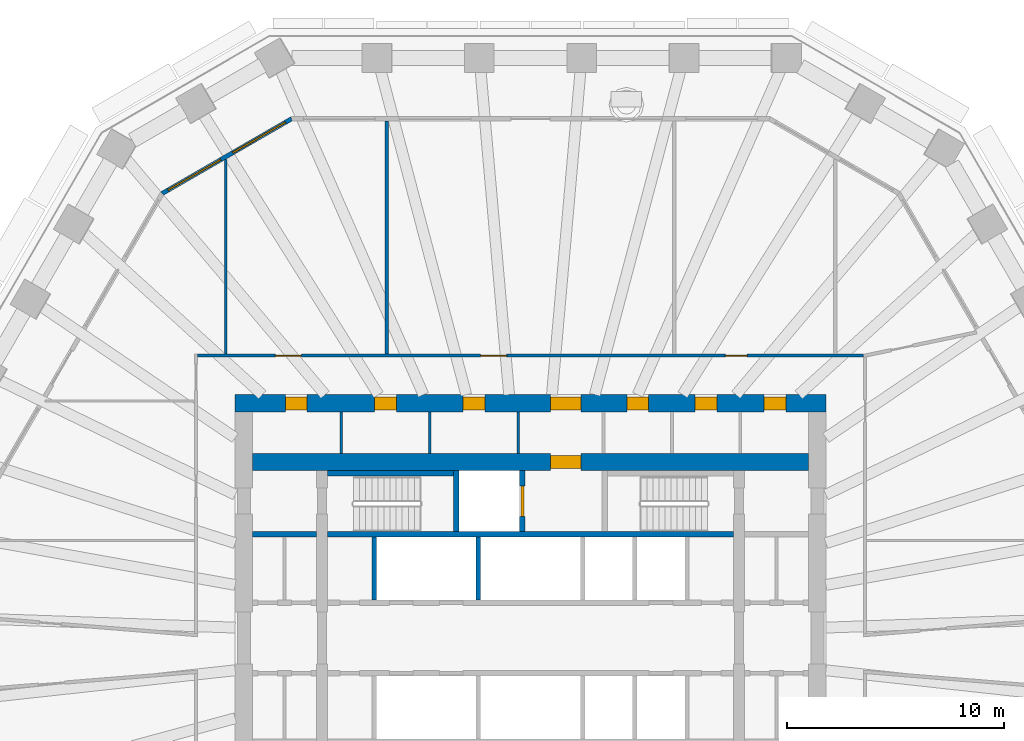
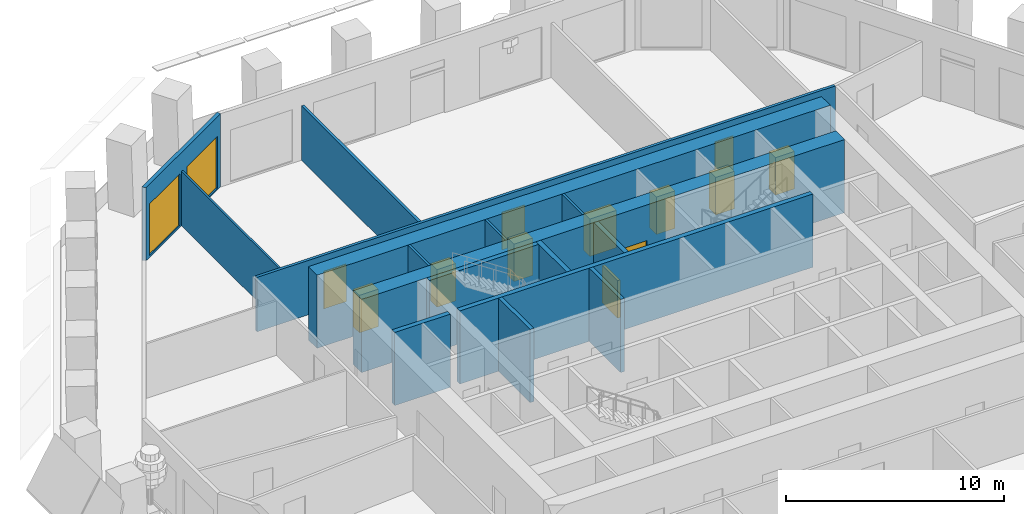
# One storey, part 7 of 13: 16 walls, 12 doors, 2 windows, 14 openings.
"""IFC4 building model written with IfcOpenShell, lengths in metres."""

from ifc_helpers import new_model, si_unit, direction, frame, frame_2d, origin, place, context, subcontext, project, spatial, polyline, rectangle, outline, extrude, material, layer, layer_set, type_object, element, fill, save


model = new_model("IFC4")

# Units and contexts
model_context = context("Model", 3, precision=1e-05, world=origin(), true_north=direction((0.0, 1.0)))
body_context = subcontext(model_context, "Body", "Model", "MODEL_VIEW")
ifc_project = project(units=[si_unit("LENGTHUNIT", "METRE"), si_unit("AREAUNIT", "SQUARE_METRE"), si_unit("VOLUMEUNIT", "CUBIC_METRE"), si_unit("PLANEANGLEUNIT", "RADIAN"), si_unit("MASSUNIT", "GRAM", prefix="KILO")], contexts=[model_context])

# Site, building, storey
site_placement = place(None, origin())
site = spatial("IfcSite", under=ifc_project, at=site_placement, CompositionType="ELEMENT")
building_placement = place(site_placement, origin())
building = spatial("IfcBuilding", under=site, at=building_placement, Name="Frailejon Research Tower", CompositionType="ELEMENT")
storey_placement = place(building_placement, frame((0.0, 0.0, 113.199951171875)))
storey = spatial("IfcBuildingStorey", under=building, at=storey_placement, Name="L24", CompositionType="ELEMENT", Elevation=113.199951171875)

# Walls
ifc_material_1 = material(Name="Plasterboard on steel studs", Category="steel")
ifc_layer_1 = layer(ifc_material_1, 0.125)
ifc_layer_set_1 = layer_set([ifc_layer_1], Name="Core partition 125")
wall_type_1 = type_object("IfcWallType", Name="Core partition 125", PredefinedType="PARTITIONING", material=ifc_layer_set_1)
for number, where, z_axis, x_axis, name in (
    (1, (-8.720703125, 8.5, 0.0), (0.0, 0.0, 1.0), (0.0, 1.0, 0.0), "Core partition"),
    (2, (-4.6416015625, 8.5, 0.0), (0.0, 0.0, 1.0), (0.0, 1.0, 0.0), "Core partition"),
    (3, (-0.5625, 8.5, 0.0), (0.0, 0.0, 1.0), (0.0, 1.0, 0.0), "Core partition"),
):
    element("IfcWall", number, at=place(storey_placement, frame(where, z_axis=z_axis, x_axis=x_axis)), inside=storey, type_object=wall_type_1, Name=name, PredefinedType="PARTITIONING", context=body_context, shape_type="SweptSolid", body=[
        extrude(rectangle(XDim=1.89990234375, YDim=0.125, at=frame_2d((0.949951171875, 0.0))), origin(), (0.0, 0.0, 1.0), 4.10009765625),
    ])

# Wall, openings, doors
ifc_material_2 = material(Name="Concrete C70/85", Category="concrete")
ifc_layer_2 = layer(ifc_material_2, 0.800048828125)
ifc_layer_set_2 = layer_set([ifc_layer_2], Name="Core shear wall 800 C70/85")
wall_type_2 = type_object("IfcWallType", Name="Core shear wall 800 C70/85", PredefinedType="SHEAR", material=ifc_layer_set_2)
wall_1_placement = place(storey_placement, frame((-13.60009765625, 10.800048828125, 0.0), z_axis=(0.0, 0.0, 1.0), x_axis=(1.0, 0.0, 0.0)))
wall_1 = element("IfcWall", 4, at=wall_1_placement, inside=storey, type_object=wall_type_2, Name="Core shear wall", PredefinedType="SHEAR", context=body_context, shape_type="SweptSolid", body=[
    extrude(rectangle(XDim=27.2001953125, YDim=0.800048828125, at=frame_2d((13.60009765625, 0.0))), origin(), (0.0, 0.0, 1.0), 4.10009765625),
])
opening_1_placement = place(wall_1_placement, frame((2.308349609375, 0.0, 0.0)))
opening_1 = element("IfcOpeningElement", 5, at=opening_1_placement, cuts=wall_1, Name="Opening D4", PredefinedType="OPENING", context=body_context, shape_type="SweptSolid", body=[
    extrude(rectangle(XDim=1.0, YDim=2.10009765625, at=frame_2d((0.5, 1.050048828125))), frame((0.0, 0.409912109375, 0.0), z_axis=(0.0, -1.0, 0.0), x_axis=(1.0, 0.0, 0.0)), (0.0, 0.0, 1.0), 0.820068359375),
])
opening_2_placement = place(wall_1_placement, frame((6.418701171875, 0.0, 0.0)))
opening_2 = element("IfcOpeningElement", 6, at=opening_2_placement, cuts=wall_1, Name="Opening D4", PredefinedType="OPENING", context=body_context, shape_type="SweptSolid", body=[
    extrude(rectangle(XDim=1.0, YDim=2.10009765625, at=frame_2d((0.5, 1.050048828125))), frame((0.0, 0.409912109375, 0.0), z_axis=(0.0, -1.0, 0.0), x_axis=(1.0, 0.0, 0.0)), (0.0, 0.0, 1.0), 0.820068359375),
])
opening_3_placement = place(wall_1_placement, frame((10.497802734375, 0.0, 0.0)))
opening_3 = element("IfcOpeningElement", 7, at=opening_3_placement, cuts=wall_1, Name="Opening D4", PredefinedType="OPENING", context=body_context, shape_type="SweptSolid", body=[
    extrude(rectangle(XDim=1.0, YDim=2.10009765625, at=frame_2d((0.5, 1.050048828125))), frame((0.0, 0.409912109375, 0.0), z_axis=(0.0, -1.0, 0.0), x_axis=(1.0, 0.0, 0.0)), (0.0, 0.0, 1.0), 0.820068359375),
])
opening_4_placement = place(wall_1_placement, frame((18.035400390625, 0.0, 0.0)))
opening_4 = element("IfcOpeningElement", 8, at=opening_4_placement, cuts=wall_1, Name="Opening D4", PredefinedType="OPENING", context=body_context, shape_type="SweptSolid", body=[
    extrude(rectangle(XDim=1.0, YDim=2.10009765625, at=frame_2d((0.5, 1.050048828125))), frame((0.0, 0.409912109375, 0.0), z_axis=(0.0, -1.0, 0.0), x_axis=(1.0, 0.0, 0.0)), (0.0, 0.0, 1.0), 0.820068359375),
])
opening_5_placement = place(wall_1_placement, frame((21.18115234375, 0.0, 0.0)))
opening_5 = element("IfcOpeningElement", 9, at=opening_5_placement, cuts=wall_1, Name="Opening D4", PredefinedType="OPENING", context=body_context, shape_type="SweptSolid", body=[
    extrude(rectangle(XDim=1.0, YDim=2.10009765625, at=frame_2d((0.5, 1.050048828125))), frame((0.0, 0.409912109375, 0.0), z_axis=(0.0, -1.0, 0.0), x_axis=(1.0, 0.0, 0.0)), (0.0, 0.0, 1.0), 0.820068359375),
])
opening_6_placement = place(wall_1_placement, frame((24.3583984375, 0.0, 0.0)))
opening_6 = element("IfcOpeningElement", 10, at=opening_6_placement, cuts=wall_1, Name="Opening D4", PredefinedType="OPENING", context=body_context, shape_type="SweptSolid", body=[
    extrude(rectangle(XDim=1.0, YDim=2.10009765625, at=frame_2d((0.5, 1.050048828125))), frame((0.0, 0.409912109375, 0.0), z_axis=(0.0, -1.0, 0.0), x_axis=(1.0, 0.0, 0.0)), (0.0, 0.0, 1.0), 0.820068359375),
])
opening_7_placement = place(wall_1_placement, frame((14.52490234375, 0.0, 0.0)))
opening_7 = element("IfcOpeningElement", 11, at=opening_7_placement, cuts=wall_1, Name="Opening D9", PredefinedType="OPENING", context=body_context, shape_type="SweptSolid", body=[
    extrude(rectangle(XDim=1.39990234375, YDim=2.10009765625, at=frame_2d((0.699951171875, 1.050048828125))), frame((0.0, 0.409912109375, 0.0), z_axis=(0.0, -1.0, 0.0), x_axis=(1.0, 0.0, 0.0)), (0.0, 0.0, 1.0), 0.820068359375),
])
ifc_material_3 = material(Name="Steel", Category="steel")
door_type_1 = type_object("IfcDoorType", Name="Goods lobby door", OperationType="DOUBLE_DOOR_SINGLE_SWING", PredefinedType="DOOR", material=ifc_material_3)
door_1_placement = place(opening_7_placement, origin())
door_1 = element("IfcDoor", 12, at=door_1_placement, inside=storey, type_object=door_type_1, Name="Passage door", OperationType="DOUBLE_DOOR_SINGLE_SWING", OverallHeight=2.10009765625, OverallWidth=1.39990234375, PredefinedType="DOOR", context=body_context, shape_type="SweptSolid", body=[
    extrude(rectangle(XDim=1.39990234375, YDim=2.10009765625, at=frame_2d((0.699951171875, 1.050048828125))), frame((0.0, 0.300048828125, 0.0), z_axis=(0.0, -1.0, 0.0), x_axis=(1.0, 0.0, 0.0)), (0.0, 0.0, 1.0), 0.60009765625),
])
fill(opening_7, door_1)
ifc_material_4 = material(Name="Steel", Category="steel")
door_type_2 = type_object("IfcDoorType", Name="Service door", OperationType="SINGLE_SWING_LEFT", PredefinedType="DOOR", material=ifc_material_4)
door_2_placement = place(opening_1_placement, origin())
door_2 = element("IfcDoor", 13, at=door_2_placement, inside=storey, type_object=door_type_2, Name="Room door", OperationType="SINGLE_SWING_RIGHT", OverallHeight=2.10009765625, OverallWidth=1.0, PredefinedType="DOOR", context=body_context, shape_type="SweptSolid", body=[
    extrude(rectangle(XDim=1.0, YDim=2.10009765625, at=frame_2d((0.5, 1.050048828125))), frame((0.0, 0.300048828125, 0.0), z_axis=(0.0, -1.0, 0.0), x_axis=(1.0, 0.0, 0.0)), (0.0, 0.0, 1.0), 0.60009765625),
])
fill(opening_1, door_2)
door_3_placement = place(opening_2_placement, origin())
door_3 = element("IfcDoor", 14, at=door_3_placement, inside=storey, type_object=door_type_2, Name="Room door", OperationType="SINGLE_SWING_LEFT", OverallHeight=2.10009765625, OverallWidth=1.0, PredefinedType="DOOR", context=body_context, shape_type="SweptSolid", body=[
    extrude(rectangle(XDim=1.0, YDim=2.10009765625, at=frame_2d((0.5, 1.050048828125))), frame((0.0, 0.300048828125, 0.0), z_axis=(0.0, -1.0, 0.0), x_axis=(1.0, 0.0, 0.0)), (0.0, 0.0, 1.0), 0.60009765625),
])
fill(opening_2, door_3)
door_4_placement = place(opening_3_placement, origin())
door_4 = element("IfcDoor", 15, at=door_4_placement, inside=storey, type_object=door_type_2, Name="Room door", OperationType="SINGLE_SWING_RIGHT", OverallHeight=2.10009765625, OverallWidth=1.0, PredefinedType="DOOR", context=body_context, shape_type="SweptSolid", body=[
    extrude(rectangle(XDim=1.0, YDim=2.10009765625, at=frame_2d((0.5, 1.050048828125))), frame((0.0, 0.300048828125, 0.0), z_axis=(0.0, -1.0, 0.0), x_axis=(1.0, 0.0, 0.0)), (0.0, 0.0, 1.0), 0.60009765625),
])
fill(opening_3, door_4)
door_5_placement = place(opening_4_placement, origin())
door_5 = element("IfcDoor", 16, at=door_5_placement, inside=storey, type_object=door_type_2, Name="Room door", OperationType="SINGLE_SWING_LEFT", OverallHeight=2.10009765625, OverallWidth=1.0, PredefinedType="DOOR", context=body_context, shape_type="SweptSolid", body=[
    extrude(rectangle(XDim=1.0, YDim=2.10009765625, at=frame_2d((0.5, 1.050048828125))), frame((0.0, 0.300048828125, 0.0), z_axis=(0.0, -1.0, 0.0), x_axis=(1.0, 0.0, 0.0)), (0.0, 0.0, 1.0), 0.60009765625),
])
fill(opening_4, door_5)
door_6_placement = place(opening_5_placement, origin())
door_6 = element("IfcDoor", 17, at=door_6_placement, inside=storey, type_object=door_type_2, Name="Room door", OperationType="SINGLE_SWING_RIGHT", OverallHeight=2.10009765625, OverallWidth=1.0, PredefinedType="DOOR", context=body_context, shape_type="SweptSolid", body=[
    extrude(rectangle(XDim=1.0, YDim=2.10009765625, at=frame_2d((0.5, 1.050048828125))), frame((0.0, 0.300048828125, 0.0), z_axis=(0.0, -1.0, 0.0), x_axis=(1.0, 0.0, 0.0)), (0.0, 0.0, 1.0), 0.60009765625),
])
fill(opening_5, door_6)
door_7_placement = place(opening_6_placement, origin())
door_7 = element("IfcDoor", 18, at=door_7_placement, inside=storey, type_object=door_type_2, Name="Room door", OperationType="SINGLE_SWING_LEFT", OverallHeight=2.10009765625, OverallWidth=1.0, PredefinedType="DOOR", context=body_context, shape_type="SweptSolid", body=[
    extrude(rectangle(XDim=1.0, YDim=2.10009765625, at=frame_2d((0.5, 1.050048828125))), frame((0.0, 0.300048828125, 0.0), z_axis=(0.0, -1.0, 0.0), x_axis=(1.0, 0.0, 0.0)), (0.0, 0.0, 1.0), 0.60009765625),
])
fill(opening_6, door_7)

# Wall, opening, door
wall_2_placement = place(storey_placement, frame((-12.800048828125, 8.10009765625, 0.0), z_axis=(0.0, 0.0, 1.0), x_axis=(1.0, 0.0, 0.0)))
wall_2 = element("IfcWall", 19, at=wall_2_placement, inside=storey, type_object=wall_type_2, Name="Core shear wall", PredefinedType="SHEAR", context=body_context, shape_type="SweptSolid", body=[
    extrude(rectangle(XDim=25.60009765625, YDim=0.800048828125, at=frame_2d((12.800048828125, 0.0))), origin(), (0.0, 0.0, 1.0), 4.10009765625),
])
opening_8_placement = place(wall_2_placement, frame((13.72509765625, 0.0, 0.0)))
opening_8 = element("IfcOpeningElement", 20, at=opening_8_placement, cuts=wall_2, Name="Opening D9", PredefinedType="OPENING", context=body_context, shape_type="SweptSolid", body=[
    extrude(rectangle(XDim=1.39990234375, YDim=2.10009765625, at=frame_2d((0.699951171875, 1.050048828125))), frame((0.0, 0.409912109375, 0.0), z_axis=(0.0, -1.0, 0.0), x_axis=(1.0, 0.0, 0.0)), (0.0, 0.0, 1.0), 0.820068359375),
])
door_8_placement = place(opening_8_placement, origin())
door_8 = element("IfcDoor", 21, at=door_8_placement, inside=storey, type_object=door_type_1, Name="Goods lobby door", OperationType="DOUBLE_DOOR_SINGLE_SWING", OverallHeight=2.10009765625, OverallWidth=1.39990234375, PredefinedType="DOOR", context=body_context, shape_type="SweptSolid", body=[
    extrude(rectangle(XDim=1.39990234375, YDim=2.10009765625, at=frame_2d((0.699951171875, 1.050048828125))), frame((0.0, 0.300048828125, 0.0), z_axis=(0.0, -1.0, 0.0), x_axis=(1.0, 0.0, 0.0)), (0.0, 0.0, 1.0), 0.60009765625),
])
fill(opening_8, door_8)

# Wall, openings, doors
ifc_material_5 = material(Name="Gypsum board and masonry partition", Category="masonry")
ifc_layer_3 = layer(ifc_material_5, 0.14990234375)
ifc_layer_set_3 = layer_set([ifc_layer_3], Name="Corridor wall EI 60, gypsum on steel studs 150")
wall_type_3 = type_object("IfcWallType", Name="Corridor wall EI 60, gypsum on steel studs 150", PredefinedType="PARTITIONING", material=ifc_layer_set_3)
wall_3_placement = place(storey_placement, frame((-15.324951171875, 13.0, 0.0), z_axis=(0.0, 0.0, 1.0), x_axis=(1.0, 0.0, 0.0)))
wall_3 = element("IfcWall", 22, at=wall_3_placement, inside=storey, type_object=wall_type_3, Name="T:IW:L24:003", PredefinedType="PARTITIONING", context=body_context, shape_type="SweptSolid", body=[
    extrude(rectangle(XDim=30.64990234375, YDim=0.14990234375, at=frame_2d((15.324951171875, 0.0))), origin(), (0.0, 0.0, 1.0), 3.050048828125),
])
opening_9_placement = place(wall_3_placement, frame((24.293701171875, 0.0, 0.0)))
opening_9 = element("IfcOpeningElement", 23, at=opening_9_placement, cuts=wall_3, Name="Opening D1602", PredefinedType="OPENING", context=body_context, shape_type="SweptSolid", body=[
    extrude(rectangle(XDim=1.0, YDim=2.10009765625, at=frame_2d((0.5, 1.050048828125))), frame((0.0, 0.0849609375, 0.0), z_axis=(0.0, -1.0, 0.0), x_axis=(1.0, 0.0, 0.0)), (0.0, 0.0, 1.0), 0.169921875),
])
opening_10_placement = place(wall_3_placement, frame((13.024169921875, 0.0, 0.0)))
opening_10 = element("IfcOpeningElement", 24, at=opening_10_placement, cuts=wall_3, Name="Opening D1603", PredefinedType="OPENING", context=body_context, shape_type="SweptSolid", body=[
    extrude(rectangle(XDim=1.199951171875, YDim=2.10009765625, at=frame_2d((0.60009765625, 1.050048828125))), frame((0.0, 0.0849609375, 0.0), z_axis=(0.0, -1.0, 0.0), x_axis=(1.0, 0.0, 0.0)), (0.0, 0.0, 1.0), 0.169921875),
])
opening_11_placement = place(wall_3_placement, frame((3.572509765625, 0.0, 0.0)))
opening_11 = element("IfcOpeningElement", 25, at=opening_11_placement, cuts=wall_3, Name="Opening D1604", PredefinedType="OPENING", context=body_context, shape_type="SweptSolid", body=[
    extrude(rectangle(XDim=1.199951171875, YDim=2.10009765625, at=frame_2d((0.60009765625, 1.050048828125))), frame((0.0, 0.0849609375, 0.0), z_axis=(0.0, -1.0, 0.0), x_axis=(1.0, 0.0, 0.0)), (0.0, 0.0, 1.0), 0.169921875),
])
ifc_material_6 = material(Name="Timber door leaf", Category="wood")
door_type_3 = type_object("IfcDoorType", Name="Door laboratory, timber, vision panel 1200", OperationType="NOTDEFINED", PredefinedType="DOOR", material=ifc_material_6)
door_9_placement = place(opening_10_placement, origin())
door_9 = element("IfcDoor", 26, at=door_9_placement, inside=storey, type_object=door_type_3, Name="D1603", OperationType="DOUBLE_DOOR_SINGLE_SWING", OverallHeight=2.10009765625, OverallWidth=1.199951171875, PredefinedType="DOOR", context=body_context, shape_type="SweptSolid", body=[
    extrude(rectangle(XDim=1.199951171875, YDim=2.10009765625, at=frame_2d((0.60009765625, 1.050048828125))), frame((0.0, 0.02490234375, 0.0), z_axis=(0.0, -1.0, 0.0), x_axis=(1.0, 0.0, 0.0)), (0.0, 0.0, 1.0), 0.050048828125),
])
fill(opening_10, door_9)
ifc_material_7 = material(Name="Timber door leaf", Category="wood")
door_type_4 = type_object("IfcDoorType", Name="Door single leaf, timber, steel frame 1000", OperationType="NOTDEFINED", PredefinedType="DOOR", material=ifc_material_7)
door_10_placement = place(opening_9_placement, origin())
door_10 = element("IfcDoor", 27, at=door_10_placement, inside=storey, type_object=door_type_4, Name="D1602", OperationType="SINGLE_SWING_RIGHT", OverallHeight=2.10009765625, OverallWidth=1.0, PredefinedType="DOOR", context=body_context, shape_type="SweptSolid", body=[
    extrude(rectangle(XDim=1.0, YDim=2.10009765625, at=frame_2d((0.5, 1.050048828125))), frame((0.0, 0.02490234375, 0.0), z_axis=(0.0, -1.0, 0.0), x_axis=(1.0, 0.0, 0.0)), (0.0, 0.0, 1.0), 0.050048828125),
])
fill(opening_9, door_10)
ifc_material_8 = material(Name="Timber door leaf", Category="wood")
door_type_5 = type_object("IfcDoorType", Name="Door single leaf, timber, steel frame 1200", OperationType="NOTDEFINED", PredefinedType="DOOR", material=ifc_material_8)
door_11_placement = place(opening_11_placement, origin())
door_11 = element("IfcDoor", 28, at=door_11_placement, inside=storey, type_object=door_type_5, Name="D1604", OperationType="DOUBLE_DOOR_SINGLE_SWING", OverallHeight=2.10009765625, OverallWidth=1.199951171875, PredefinedType="DOOR", context=body_context, shape_type="SweptSolid", body=[
    extrude(rectangle(XDim=1.199951171875, YDim=2.10009765625, at=frame_2d((0.60009765625, 1.050048828125))), frame((0.0, 0.02490234375, 0.0), z_axis=(0.0, -1.0, 0.0), x_axis=(1.0, 0.0, 0.0)), (0.0, 0.0, 1.0), 0.050048828125),
])
fill(opening_11, door_11)

# Walls
ifc_material_9 = material(Name="Gypsum board and masonry partition", Category="masonry")
ifc_layer_4 = layer(ifc_material_9, 0.14990234375)
ifc_layer_set_4 = layer_set([ifc_layer_4], Name="Laboratory partition, blockwork 150")
wall_type_4 = type_object("IfcWallType", Name="Laboratory partition, blockwork 150", PredefinedType="PARTITIONING", material=ifc_layer_set_4)
wall_4_placement = place(storey_placement, frame((-6.619384765625, 13.074951171875, 0.0), z_axis=(0.0, 0.0, 1.0), x_axis=(0.0, 1.0, 0.0)))
element("IfcWall", 29, at=wall_4_placement, inside=storey, type_object=wall_type_4, Name="T:IW:L24:014", PredefinedType="PARTITIONING", context=body_context, shape_type="SweptSolid", body=[
    extrude(rectangle(XDim=10.72509765625, YDim=0.14990234375, at=frame_2d((5.362548828125, 0.0))), origin(), (0.0, 0.0, 1.0), 3.050048828125),
])
ifc_material_10 = material(Name="Gypsum board and masonry partition", Category="masonry")
ifc_layer_5 = layer(ifc_material_10, 0.10009765625)
ifc_layer_set_5 = layer_set([ifc_layer_5], Name="Partition, gypsum on steel studs 100")
wall_type_5 = type_object("IfcWallType", Name="Partition, gypsum on steel studs 100", PredefinedType="PARTITIONING", material=ifc_layer_set_5)
wall_5_placement = place(storey_placement, frame((-14.031982421875, 13.074951171875, 0.0), z_axis=(0.0, 0.0, 1.0), x_axis=(0.0, 1.0, 0.0)))
element("IfcWall", 30, at=wall_5_placement, inside=storey, type_object=wall_type_5, Name="T:IW:L24:022", PredefinedType="PARTITIONING", context=body_context, shape_type="SweptSolid", body=[
    extrude(rectangle(XDim=8.962158203125, YDim=0.10009765625, at=frame_2d((4.48095703125, 0.0))), origin(), (0.0, 0.0, 1.0), 3.050048828125),
])
ifc_material_11 = material(Name="Concrete C70/85", Category="concrete")
ifc_layer_6 = layer(ifc_material_11, 0.199951171875)
ifc_layer_set_6 = layer_set([ifc_layer_6], Name="Shaft wall 200 C70/85")
wall_type_6 = type_object("IfcWallType", Name="Shaft wall 200 C70/85", PredefinedType="SOLIDWALL", material=ifc_layer_set_6)
for number, where, z_axis, x_axis, name in (
    (31, (-7.199951171875, 1.75, 0.0), (0.0, 0.0, 1.0), (0.0, 1.0, 0.0), "Shaft wall"),
    (32, (-2.39990234375, 1.75, 0.0), (0.0, 0.0, 1.0), (0.0, 1.0, 0.0), "Shaft wall"),
):
    element("IfcWall", number, at=place(storey_placement, frame(where, z_axis=z_axis, x_axis=x_axis)), inside=storey, type_object=wall_type_6, Name=name, PredefinedType="SOLIDWALL", context=body_context, shape_type="SweptSolid", body=[
        extrude(rectangle(XDim=2.89990234375, YDim=0.199951171875, at=frame_2d((1.449951171875, 0.0))), origin(), (0.0, 0.0, 1.0), 4.10009765625),
    ])
ifc_material_12 = material(Name="Concrete C70/85", Category="concrete")
ifc_layer_7 = layer(ifc_material_12, 0.25)
ifc_layer_set_7 = layer_set([ifc_layer_7], Name="Shaft wall 250 C70/85")
wall_type_7 = type_object("IfcWallType", Name="Shaft wall 250 C70/85", PredefinedType="SOLIDWALL", material=ifc_layer_set_7)
wall_6_placement = place(storey_placement, frame((-12.800048828125, 4.77490234375, 0.0), z_axis=(0.0, 0.0, 1.0), x_axis=(1.0, 0.0, 0.0)))
element("IfcWall", 33, at=wall_6_placement, inside=storey, type_object=wall_type_7, Name="Shaft wall", PredefinedType="SOLIDWALL", context=body_context, shape_type="SweptSolid", body=[
    extrude(rectangle(XDim=2.949951171875, YDim=0.25, at=frame_2d((1.47509765625, 0.0))), origin(), (0.0, 0.0, 1.0), 4.10009765625),
])
wall_7_placement = place(storey_placement, frame((-9.35009765625, 4.77490234375, 0.0), z_axis=(0.0, 0.0, 1.0), x_axis=(1.0, 0.0, 0.0)))
element("IfcWall", 34, at=wall_7_placement, inside=storey, type_object=wall_type_7, Name="Shaft wall", PredefinedType="SOLIDWALL", context=body_context, shape_type="SweptSolid", body=[
    extrude(rectangle(XDim=18.7001953125, YDim=0.25, at=frame_2d((9.35009765625, 0.0))), origin(), (0.0, 0.0, 1.0), 4.10009765625),
])
wall_8_placement = place(storey_placement, frame((-9.35009765625, 7.574951171875, 0.0), z_axis=(0.0, 0.0, 1.0), x_axis=(1.0, 0.0, 0.0)))
element("IfcWall", 35, at=wall_8_placement, inside=storey, type_object=wall_type_7, Name="Shaft wall", PredefinedType="SOLIDWALL", context=body_context, shape_type="SweptSolid", body=[
    extrude(rectangle(XDim=5.800048828125, YDim=0.25, at=frame_2d((2.89990234375, 0.0))), origin(), (0.0, 0.0, 1.0), 4.10009765625),
])
wall_9_placement = place(storey_placement, frame((-3.425048828125, 4.89990234375, 0.0), z_axis=(0.0, 0.0, 1.0), x_axis=(0.0, 1.0, 0.0)))
element("IfcWall", 36, at=wall_9_placement, inside=storey, type_object=wall_type_7, Name="Shaft wall", PredefinedType="SOLIDWALL", context=body_context, shape_type="SweptSolid", body=[
    extrude(rectangle(XDim=2.800048828125, YDim=0.25, at=frame_2d((1.39990234375, 0.0))), origin(), (0.0, 0.0, 1.0), 4.10009765625),
])

# Wall, opening, door
wall_10_placement = place(storey_placement, frame((-0.375, 4.89990234375, 0.0), z_axis=(0.0, 0.0, 1.0), x_axis=(0.0, 1.0, 0.0)))
wall_10 = element("IfcWall", 37, at=wall_10_placement, inside=storey, type_object=wall_type_7, Name="Shaft wall", PredefinedType="SOLIDWALL", context=body_context, shape_type="SweptSolid", body=[
    extrude(rectangle(XDim=2.800048828125, YDim=0.25, at=frame_2d((1.39990234375, 0.0))), origin(), (0.0, 0.0, 1.0), 4.10009765625),
])
opening_12_placement = place(wall_10_placement, frame((0.699951171875, 0.0, 0.0)))
opening_12 = element("IfcOpeningElement", 38, at=opening_12_placement, cuts=wall_10, Name="Opening LD2", PredefinedType="OPENING", context=body_context, shape_type="SweptSolid", body=[
    extrude(rectangle(XDim=1.39990234375, YDim=2.10009765625, at=frame_2d((0.699951171875, 1.050048828125))), frame((0.0, 0.135009765625, 0.0), z_axis=(0.0, -1.0, 0.0), x_axis=(1.0, 0.0, 0.0)), (0.0, 0.0, 1.0), 0.27001953125),
])
ifc_material_13 = material(Name="Stainless steel", Category="steel")
door_type_6 = type_object("IfcDoorType", Name="Goods landing door", OperationType="DOUBLE_DOOR_SLIDING", PredefinedType="DOOR", material=ifc_material_13)
door_12_placement = place(opening_12_placement, origin())
door_12 = element("IfcDoor", 39, at=door_12_placement, inside=storey, type_object=door_type_6, Name="Lift landing door", OperationType="DOUBLE_DOOR_SLIDING", OverallHeight=2.10009765625, OverallWidth=1.39990234375, PredefinedType="DOOR", context=body_context, shape_type="SweptSolid", body=[
    extrude(rectangle(XDim=1.39990234375, YDim=2.10009765625, at=frame_2d((0.699951171875, 1.050048828125))), frame((0.0, 0.074951171875, 0.0), z_axis=(0.0, -1.0, 0.0), x_axis=(1.0, 0.0, 0.0)), (0.0, 0.0, 1.0), 0.14990234375),
])
fill(opening_12, door_12)

# Wall, openings, windows
ifc_material_14 = material(Name="Concrete C40/50 precast window wall panel", Category="concrete")
ifc_layer_8 = layer(ifc_material_14, 0.199951171875)
ifc_layer_set_8 = layer_set([ifc_layer_8], Name="Window wall 200")
wall_type_8 = type_object("IfcWallType", Name="Window wall 200", PredefinedType="SOLIDWALL", material=ifc_layer_set_8)
wall_11_placement = place(storey_placement, frame((-11.00537109375, 23.89990234375, 0.0), z_axis=(0.0, 0.0, 1.0), x_axis=(-0.866029458321, -0.49999297727, 0.0)))
wall_11 = element("IfcWall", 40, at=wall_11_placement, inside=storey, type_object=wall_type_8, Name="Exterior wall L24", PredefinedType="SOLIDWALL", context=body_context, shape_type="SweptSolid", body=[
    extrude(outline(polyline([(-0.02685546875, -0.10009765625), (1.1279296875, -0.10009765625), (2.282470703125, -0.10009765625), (3.437255859375, -0.10009765625), (4.592041015625, -0.10009765625), (5.74658203125, -0.10009765625), (6.9013671875, -0.10009765625), (6.84765625, 0.10009765625), (5.7109375, 0.10009765625), (4.573974609375, 0.10009765625), (3.437255859375, 0.10009765625), (2.300537109375, 0.10009765625), (1.16357421875, 0.10009765625), (0.02685546875, 0.10009765625), (-0.02685546875, -0.10009765625)])), origin(), (0.0, 0.0, 1.0), 4.10009765625),
])
opening_13_placement = place(wall_11_placement, frame((0.318603515625, 0.0, 0.10009765625)))
opening_13 = element("IfcOpeningElement", 41, at=opening_13_placement, cuts=wall_11, Name="Opening W3", PredefinedType="OPENING", context=body_context, shape_type="SweptSolid", body=[
    extrude(rectangle(XDim=2.800048828125, YDim=2.89990234375, at=frame_2d((1.39990234375, 1.449951171875))), frame((0.0, 0.10986328125, 0.0), z_axis=(0.0, -1.0, 0.0), x_axis=(1.0, 0.0, 0.0)), (0.0, 0.0, 1.0), 0.219970703125),
])
opening_14_placement = place(wall_11_placement, frame((3.756103515625, 0.0, 0.10009765625)))
opening_14 = element("IfcOpeningElement", 42, at=opening_14_placement, cuts=wall_11, Name="Opening W3", PredefinedType="OPENING", context=body_context, shape_type="SweptSolid", body=[
    extrude(rectangle(XDim=2.800048828125, YDim=2.89990234375, at=frame_2d((1.39990234375, 1.449951171875))), frame((0.0, 0.10986328125, 0.0), z_axis=(0.0, -1.0, 0.0), x_axis=(1.0, 0.0, 0.0)), (0.0, 0.0, 1.0), 0.219970703125),
])
ifc_material_15 = material(Name="Aluminium framed double glazing", Category="aluminium")
window_type = type_object("IfcWindowType", Name="Window 2800x2900", PartitioningType="SINGLE_PANEL", PredefinedType="WINDOW", material=ifc_material_15)
window_1_placement = place(opening_13_placement, origin())
window_1 = element("IfcWindow", 43, at=window_1_placement, inside=storey, type_object=window_type, Name="Window L24", OverallHeight=2.89990234375, OverallWidth=2.800048828125, PartitioningType="SINGLE_PANEL", PredefinedType="WINDOW", context=body_context, shape_type="SweptSolid", body=[
    extrude(rectangle(XDim=2.800048828125, YDim=2.89990234375, at=frame_2d((1.39990234375, 1.449951171875))), frame((0.0, 0.030029296875, 0.0), z_axis=(0.0, -1.0, 0.0), x_axis=(1.0, 0.0, 0.0)), (0.0, 0.0, 1.0), 0.06005859375),
])
fill(opening_13, window_1)
window_2_placement = place(opening_14_placement, origin())
window_2 = element("IfcWindow", 44, at=window_2_placement, inside=storey, type_object=window_type, Name="Window L24", OverallHeight=2.89990234375, OverallWidth=2.800048828125, PartitioningType="SINGLE_PANEL", PredefinedType="WINDOW", context=body_context, shape_type="SweptSolid", body=[
    extrude(rectangle(XDim=2.800048828125, YDim=2.89990234375, at=frame_2d((1.39990234375, 1.449951171875))), frame((0.0, 0.030029296875, 0.0), z_axis=(0.0, -1.0, 0.0), x_axis=(1.0, 0.0, 0.0)), (0.0, 0.0, 1.0), 0.06005859375),
])
fill(opening_14, window_2)

save(model, "model.ifc")
